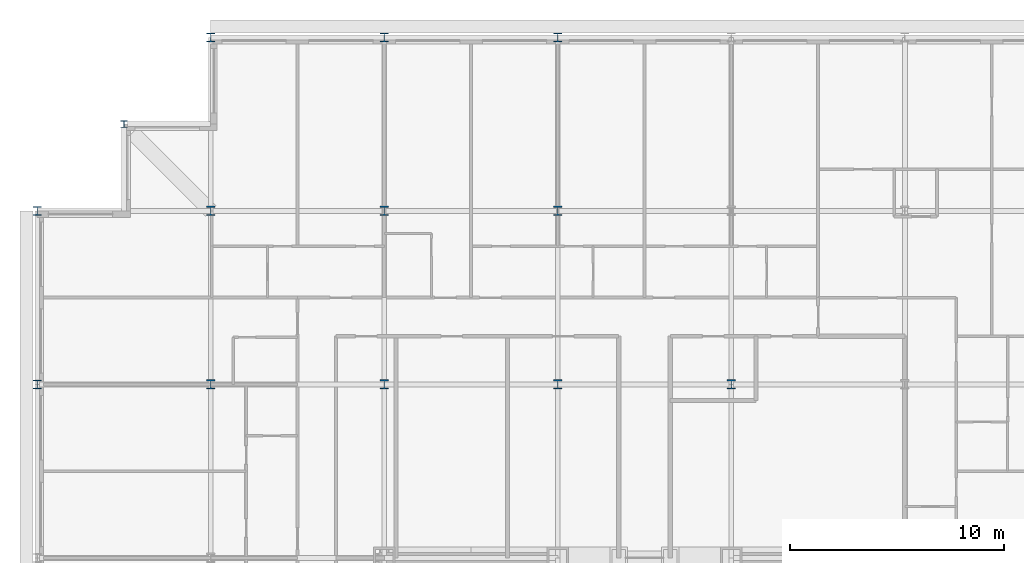
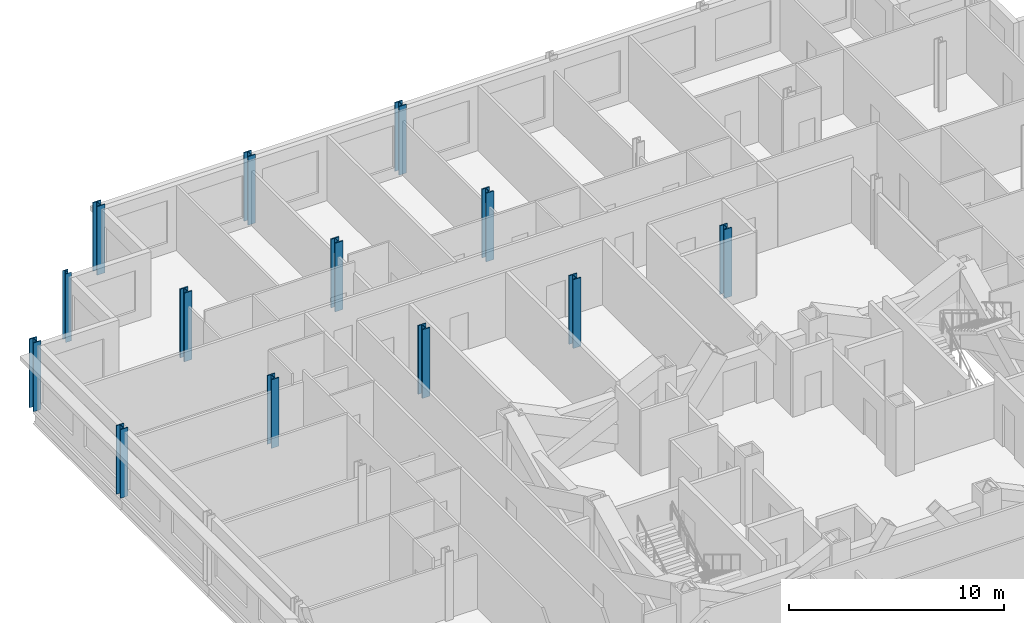
# One storey, part 3 of 15: 13 columns.
"""IFC4 building model written with IfcOpenShell, lengths in metres."""

from ifc_helpers import new_model, si_unit, direction, frame, origin, origin_2d, place, context, subcontext, project, spatial, i_section, extrude, material, material_profile, profile_set, type_object, element, save


model = new_model("IFC4")

# Units and contexts
model_context = context("Model", 3, precision=1e-05, world=origin(), true_north=direction((0.0, 1.0)))
body_context = subcontext(model_context, "Body", "Model", "MODEL_VIEW")
ifc_project = project(units=[si_unit("LENGTHUNIT", "METRE"), si_unit("AREAUNIT", "SQUARE_METRE"), si_unit("VOLUMEUNIT", "CUBIC_METRE"), si_unit("PLANEANGLEUNIT", "RADIAN"), si_unit("MASSUNIT", "GRAM", prefix="KILO")], contexts=[model_context])

# Site, building, storey
site_placement = place(None, origin())
site = spatial("IfcSite", under=ifc_project, at=site_placement, CompositionType="ELEMENT")
building_placement = place(site_placement, origin())
building = spatial("IfcBuilding", under=site, at=building_placement, Name="Kopane Lantern Tower", CompositionType="ELEMENT")
storey_placement = place(building_placement, frame((0.0, 0.0, 277.5)))
storey = spatial("IfcBuildingStorey", under=building, at=storey_placement, Name="L71", CompositionType="ELEMENT", Elevation=277.5)

# Columns
ifc_material_1 = material(Name="Steel S355JR", Category="steel")
ifc_material_profile_1 = material_profile(ifc_material_1, i_section(OverallWidth=0.307373046875, OverallDepth=0.314453125, WebThickness=0.011962890625, FlangeThickness=0.018798828125, FilletRadius=0.01513671875, at=origin_2d()), Name="UC 305x305x118")
ifc_profile_set_1 = profile_set([ifc_material_profile_1], Name="Steel S355JR")
column_type_1 = type_object("IfcColumnType", Name="COLUMN UC 305x305x118", PredefinedType="COLUMN", material=ifc_profile_set_1)
column_placement = place(storey_placement, frame((4.050048828125, 60.75, 0.0), z_axis=(0.0, 0.0, 1.0), x_axis=(1.0, 0.0, 0.0)))
element("IfcColumn", 1, at=column_placement, inside=storey, type_object=column_type_1, Name="Column 4.05/60.75 L71", PredefinedType="COLUMN", context=body_context, shape_type="SweptSolid", body=[
    extrude(i_section(OverallWidth=0.307373046875, OverallDepth=0.314453125, WebThickness=0.011962890625, FlangeThickness=0.018798828125, FilletRadius=0.01513671875, at=origin_2d()), origin(), (0.0, 0.0, 1.0), 3.89990234375),
])
ifc_material_2 = material(Name="Steel S355JR", Category="steel")
ifc_material_profile_2 = material_profile(ifc_material_2, i_section(OverallWidth=0.406982421875, OverallDepth=0.4189453125, WebThickness=0.030517578125, FlangeThickness=0.04931640625, FilletRadius=0.01513671875, at=origin_2d()), Name="UC 356x406x393")
ifc_profile_set_2 = profile_set([ifc_material_profile_2], Name="Steel S355JR")
column_type_2 = type_object("IfcColumnType", Name="COLUMN UC 356x406x393", PredefinedType="COLUMN", material=ifc_profile_set_2)
for number, where, z_axis, x_axis, name in (
    (2, (0.0, 48.60009765625, 0.0), (0.0, 0.0, 1.0), (1.0, 0.0, 0.0), "Column 2/H L71"),
    (3, (0.0, 56.699951171875, 0.0), (0.0, 0.0, 1.0), (1.0, 0.0, 0.0), "Column 2/J L71"),
    (4, (8.10009765625, 64.800048828125, 0.0), (0.0, 0.0, 1.0), (1.0, 0.0, 0.0), "Column 3/K L71"),
    (5, (16.199951171875, 64.800048828125, 0.0), (0.0, 0.0, 1.0), (1.0, 0.0, 0.0), "Column 4/K L71"),
    (6, (24.300048828125, 64.800048828125, 0.0), (0.0, 0.0, 1.0), (1.0, 0.0, 0.0), "Column 5/K L71"),
):
    element("IfcColumn", number, at=place(storey_placement, frame(where, z_axis=z_axis, x_axis=x_axis)), inside=storey, type_object=column_type_2, Name=name, PredefinedType="COLUMN", context=body_context, shape_type="SweptSolid", body=[
        extrude(i_section(OverallWidth=0.406982421875, OverallDepth=0.4189453125, WebThickness=0.030517578125, FlangeThickness=0.04931640625, FilletRadius=0.01513671875, at=origin_2d()), origin(), (0.0, 0.0, 1.0), 3.89990234375),
    ])
ifc_material_3 = material(Name="Steel S355JR", Category="steel")
ifc_material_profile_3 = material_profile(ifc_material_3, i_section(OverallWidth=0.412109375, OverallDepth=0.4365234375, WebThickness=0.035888671875, FlangeThickness=0.05810546875, FilletRadius=0.01513671875, at=origin_2d()), Name="UC 356x406x467")
ifc_profile_set_3 = profile_set([ifc_material_profile_3], Name="Steel S355JR")
column_type_3 = type_object("IfcColumnType", Name="COLUMN UC 356x406x467", PredefinedType="COLUMN", material=ifc_profile_set_3)
for number, where, z_axis, x_axis, name in (
    (7, (8.10009765625, 48.60009765625, 0.0), (0.0, 0.0, 1.0), (1.0, 0.0, 0.0), "Column 3/H L71"),
    (8, (8.10009765625, 56.699951171875, 0.0), (0.0, 0.0, 1.0), (1.0, 0.0, 0.0), "Column 3/J L71"),
    (9, (16.199951171875, 48.60009765625, 0.0), (0.0, 0.0, 1.0), (1.0, 0.0, 0.0), "Column 4/H L71"),
    (10, (16.199951171875, 56.699951171875, 0.0), (0.0, 0.0, 1.0), (1.0, 0.0, 0.0), "Column 4/J L71"),
    (11, (24.300048828125, 48.60009765625, 0.0), (0.0, 0.0, 1.0), (1.0, 0.0, 0.0), "Column 5/H L71"),
    (12, (24.300048828125, 56.699951171875, 0.0), (0.0, 0.0, 1.0), (1.0, 0.0, 0.0), "Column 5/J L71"),
    (13, (32.39990234375, 48.60009765625, 0.0), (0.0, 0.0, 1.0), (1.0, 0.0, 0.0), "Column 6/H L71"),
):
    element("IfcColumn", number, at=place(storey_placement, frame(where, z_axis=z_axis, x_axis=x_axis)), inside=storey, type_object=column_type_3, Name=name, PredefinedType="COLUMN", context=body_context, shape_type="SweptSolid", body=[
        extrude(i_section(OverallWidth=0.412109375, OverallDepth=0.4365234375, WebThickness=0.035888671875, FlangeThickness=0.05810546875, FilletRadius=0.01513671875, at=origin_2d()), origin(), (0.0, 0.0, 1.0), 3.89990234375),
    ])

save(model, "model.ifc")
